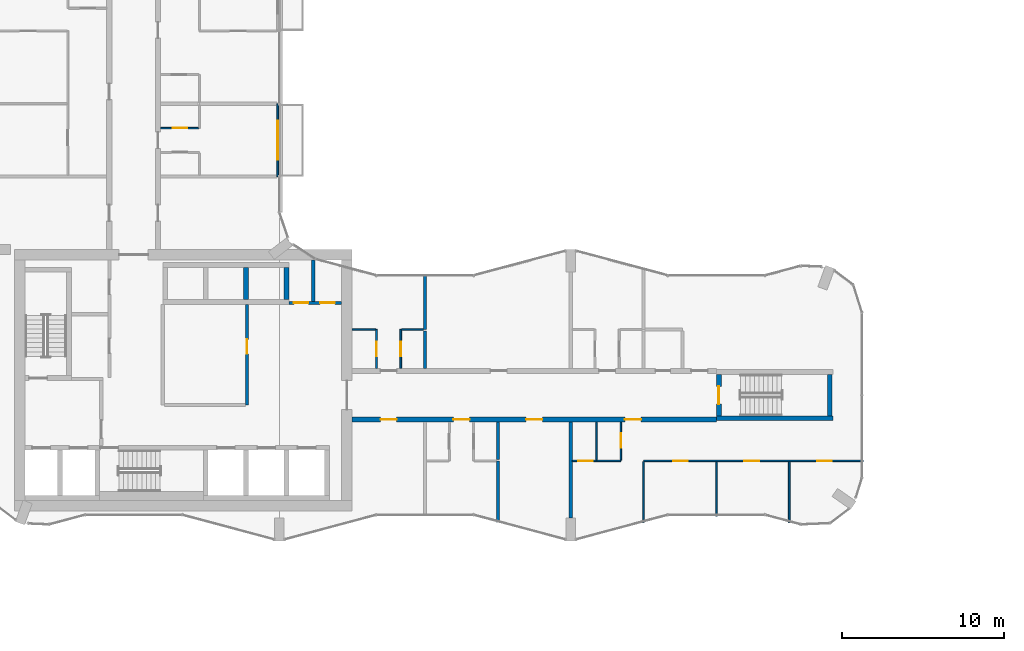
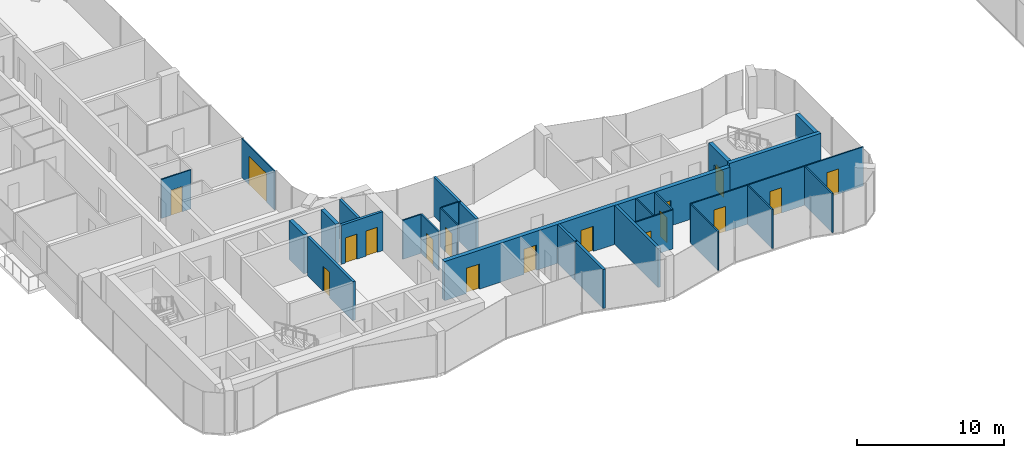
# One storey, part 14 of 22: 27 walls, 17 doors, 17 openings.
"""IFC4 building model written with IfcOpenShell, lengths in metres."""

from ifc_helpers import new_model, si_unit, direction, frame, frame_2d, origin, place, context, subcontext, project, spatial, rectangle, extrude, material, layer, layer_set, type_object, element, fill, save


model = new_model("IFC4")

# Units and contexts
model_context = context("Model", 3, precision=1e-05, world=origin(), true_north=direction((0.0, 1.0)))
body_context = subcontext(model_context, "Body", "Model", "MODEL_VIEW")
ifc_project = project(units=[si_unit("LENGTHUNIT", "METRE"), si_unit("AREAUNIT", "SQUARE_METRE"), si_unit("VOLUMEUNIT", "CUBIC_METRE"), si_unit("PLANEANGLEUNIT", "RADIAN"), si_unit("MASSUNIT", "GRAM", prefix="KILO")], contexts=[model_context])

# Site, building, storey
site_placement = place(None, origin())
site = spatial("IfcSite", under=ifc_project, at=site_placement, CompositionType="ELEMENT")
building_placement = place(site_placement, origin())
building = spatial("IfcBuilding", under=site, at=building_placement, Name="Plateau Cross Towers", CompositionType="ELEMENT")
storey_placement = place(building_placement, frame((0.0, 0.0, 116.800048828125)))
storey = spatial("IfcBuildingStorey", under=building, at=storey_placement, Name="L30", CompositionType="ELEMENT", Elevation=116.800048828125)

# Wall, opening, door
ifc_material_1 = material(Name="Aluminium framed glazing", Category="aluminium")
ifc_layer_1 = layer(ifc_material_1, 0.10009765625)
ifc_layer_set_1 = layer_set([ifc_layer_1], Name="Aluminium framed glazing")
wall_type_1 = type_object("IfcWallType", Name="Balcony screen wall 100", PredefinedType="STANDARD", material=ifc_layer_set_1)
wall_1_placement = place(storey_placement, frame((17.89990234375, 27.0, 0.0), z_axis=(0.0, 0.0, 1.0), x_axis=(0.0, -1.0, 0.0)))
wall_1 = element("IfcWall", 1, at=wall_1_placement, inside=storey, type_object=wall_type_1, Name="Balcony screen wall A-BAL-L30-04", PredefinedType="STANDARD", context=body_context, shape_type="SweptSolid", body=[
    extrude(rectangle(XDim=4.5, YDim=0.10009765625, at=frame_2d((2.25, 0.0))), origin(), (0.0, 0.0, 1.0), 3.25),
])
opening_1_placement = place(wall_1_placement, frame((1.050048828125, 0.0, 0.0)))
opening_1 = element("IfcOpeningElement", 2, at=opening_1_placement, cuts=wall_1, Name="Opening D-B24", PredefinedType="OPENING", context=body_context, shape_type="SweptSolid", body=[
    extrude(rectangle(XDim=2.39990234375, YDim=2.39990234375, at=frame_2d((1.199951171875, 1.199951171875))), frame((0.0, 0.06005859375, 0.0), z_axis=(0.0, -1.0, 0.0), x_axis=(1.0, 0.0, 0.0)), (0.0, 0.0, 1.0), 0.1201171875),
])
ifc_material_2 = material(Name="Aluminium frame, double glazing", Category="aluminium")
door_type_1 = type_object("IfcDoorType", Name="Balcony sliding door 2400", OperationType="NOTDEFINED", PredefinedType="DOOR", material=ifc_material_2)
door_1_placement = place(opening_1_placement, origin())
door_1 = element("IfcDoor", 3, at=door_1_placement, inside=storey, type_object=door_type_1, Name="Balcony door A-BAL-L30-04", OperationType="SINGLE_SWING_LEFT", OverallHeight=2.39990234375, OverallWidth=2.39990234375, PredefinedType="DOOR", context=body_context, shape_type="SweptSolid", body=[
    extrude(rectangle(XDim=2.39990234375, YDim=2.39990234375, at=frame_2d((1.199951171875, 1.199951171875))), frame((0.0, 0.02490234375, 0.0), z_axis=(0.0, -1.0, 0.0), x_axis=(1.0, 0.0, 0.0)), (0.0, 0.0, 1.0), 0.050048828125),
])
fill(opening_1, door_1)

ifc_material_3 = material(Name="Concrete block, plastered both sides", Category="concrete")
ifc_layer_2 = layer(ifc_material_3, 0.199951171875)
ifc_layer_set_2 = layer_set([ifc_layer_2], Name="Concrete block, plastered both sides")
wall_type_2 = type_object("IfcWallType", Name="Core partition 200", PredefinedType="PARTITIONING", material=ifc_layer_set_2)
wall_2_placement = place(storey_placement, frame((16.0, 8.39990234375, 0.0), z_axis=(0.0, 0.0, 1.0), x_axis=(0.0, 1.0, 0.0)))
wall_2 = element("IfcWall", 4, at=wall_2_placement, inside=storey, type_object=wall_type_2, Name="Core partition", PredefinedType="PARTITIONING", context=body_context, shape_type="SweptSolid", body=[
    extrude(rectangle(XDim=6.2001953125, YDim=0.199951171875, at=frame_2d((3.10009765625, 0.0))), origin(), (0.0, 0.0, 1.0), 3.25),
])
opening_2_placement = place(wall_2_placement, frame((3.14990234375, 0.0, 0.0)))
opening_2 = element("IfcOpeningElement", 5, at=opening_2_placement, cuts=wall_2, Name="Opening RD1", PredefinedType="OPENING", context=body_context, shape_type="SweptSolid", body=[
    extrude(rectangle(XDim=0.89990234375, YDim=2.10009765625, at=frame_2d((0.449951171875, 1.050048828125))), frame((0.0, 0.10986328125, 0.0), z_axis=(0.0, -1.0, 0.0), x_axis=(1.0, 0.0, 0.0)), (0.0, 0.0, 1.0), 0.219970703125),
])
ifc_material_4 = material(Name="Timber, fire-resisting leaf", Category="wood")
door_type_2 = type_object("IfcDoorType", Name="Core service door 900", OperationType="NOTDEFINED", PredefinedType="DOOR", material=ifc_material_4)
door_2_placement = place(opening_2_placement, origin())
door_2 = element("IfcDoor", 6, at=door_2_placement, inside=storey, type_object=door_type_2, Name="Core service door RD1", OperationType="SINGLE_SWING_LEFT", OverallHeight=2.10009765625, OverallWidth=0.89990234375, PredefinedType="DOOR", context=body_context, shape_type="SweptSolid", body=[
    extrude(rectangle(XDim=0.89990234375, YDim=2.10009765625, at=frame_2d((0.449951171875, 1.050048828125))), frame((0.0, 0.02490234375, 0.0), z_axis=(0.0, -1.0, 0.0), x_axis=(1.0, 0.0, 0.0)), (0.0, 0.0, 1.0), 0.050048828125),
])
fill(opening_2, door_2)

# Wall, openings, doors
wall_3_placement = place(storey_placement, frame((18.60009765625, 14.699951171875, 0.0), z_axis=(0.0, 0.0, 1.0), x_axis=(1.0, 0.0, 0.0)))
wall_3 = element("IfcWall", 7, at=wall_3_placement, inside=storey, type_object=wall_type_2, Name="Core partition", PredefinedType="PARTITIONING", context=body_context, shape_type="SweptSolid", body=[
    extrude(rectangle(XDim=3.25, YDim=0.199951171875, at=frame_2d((1.625, 0.0))), origin(), (0.0, 0.0, 1.0), 3.25),
])
opening_3_placement = place(wall_3_placement, frame((0.300048828125, 0.0, 0.0)))
opening_3 = element("IfcOpeningElement", 8, at=opening_3_placement, cuts=wall_3, Name="Opening RD2", PredefinedType="OPENING", context=body_context, shape_type="SweptSolid", body=[
    extrude(rectangle(XDim=0.89990234375, YDim=2.10009765625, at=frame_2d((0.449951171875, 1.050048828125))), frame((0.0, 0.10986328125, 0.0), z_axis=(0.0, -1.0, 0.0), x_axis=(1.0, 0.0, 0.0)), (0.0, 0.0, 1.0), 0.219970703125),
])
opening_4_placement = place(wall_3_placement, frame((1.925048828125, 0.0, 0.0)))
opening_4 = element("IfcOpeningElement", 9, at=opening_4_placement, cuts=wall_3, Name="Opening RD2", PredefinedType="OPENING", context=body_context, shape_type="SweptSolid", body=[
    extrude(rectangle(XDim=0.89990234375, YDim=2.10009765625, at=frame_2d((0.449951171875, 1.050048828125))), frame((0.0, 0.10986328125, 0.0), z_axis=(0.0, -1.0, 0.0), x_axis=(1.0, 0.0, 0.0)), (0.0, 0.0, 1.0), 0.219970703125),
])
ifc_material_5 = material(Name="Steel, fire-resisting leaf", Category="steel")
door_type_3 = type_object("IfcDoorType", Name="Core riser door 900", OperationType="NOTDEFINED", PredefinedType="DOOR", material=ifc_material_5)
door_3_placement = place(opening_3_placement, origin())
door_3 = element("IfcDoor", 10, at=door_3_placement, inside=storey, type_object=door_type_3, Name="Core riser door RD2", OperationType="SINGLE_SWING_LEFT", OverallHeight=2.10009765625, OverallWidth=0.89990234375, PredefinedType="DOOR", context=body_context, shape_type="SweptSolid", body=[
    extrude(rectangle(XDim=0.89990234375, YDim=2.10009765625, at=frame_2d((0.449951171875, 1.050048828125))), frame((0.0, 0.02490234375, 0.0), z_axis=(0.0, -1.0, 0.0), x_axis=(1.0, 0.0, 0.0)), (0.0, 0.0, 1.0), 0.050048828125),
])
fill(opening_3, door_3)
door_4_placement = place(opening_4_placement, origin())
door_4 = element("IfcDoor", 11, at=door_4_placement, inside=storey, type_object=door_type_3, Name="Core riser door RD2", OperationType="SINGLE_SWING_LEFT", OverallHeight=2.10009765625, OverallWidth=0.89990234375, PredefinedType="DOOR", context=body_context, shape_type="SweptSolid", body=[
    extrude(rectangle(XDim=0.89990234375, YDim=2.10009765625, at=frame_2d((0.449951171875, 1.050048828125))), frame((0.0, 0.02490234375, 0.0), z_axis=(0.0, -1.0, 0.0), x_axis=(1.0, 0.0, 0.0)), (0.0, 0.0, 1.0), 0.050048828125),
])
fill(opening_4, door_4)

# Walls
wall_4_placement = place(storey_placement, frame((20.10009765625, 14.800048828125, 0.0), z_axis=(0.0, 0.0, 1.0), x_axis=(0.0, 1.0, 0.0)))
element("IfcWall", 12, at=wall_4_placement, inside=storey, type_object=wall_type_2, Name="Core partition", PredefinedType="PARTITIONING", context=body_context, shape_type="SweptSolid", body=[
    extrude(rectangle(XDim=2.550048828125, YDim=0.199951171875, at=frame_2d((1.27490234375, 0.0))), origin(), (0.0, 0.0, 1.0), 3.25),
])
ifc_material_6 = material(Name="Concrete C60/75", Category="concrete")
ifc_layer_3 = layer(ifc_material_6, 0.300048828125)
ifc_layer_set_3 = layer_set([ifc_layer_3], Name="Concrete C60/75")
wall_type_3 = type_object("IfcWallType", Name="Core shaft wall 300", PredefinedType="SHEAR", material=ifc_layer_set_3)
for number, where, z_axis, x_axis, name in (
    (13, (15.949951171875, 14.89990234375, 0.0), (0.0, 0.0, 1.0), (0.0, 1.0, 0.0), "A-nb-v3@L30"),
    (14, (18.449951171875, 14.89990234375, 0.0), (0.0, 0.0, 1.0), (0.0, 1.0, 0.0), "A-nb-v4@L30"),
):
    element("IfcWall", number, at=place(storey_placement, frame(where, z_axis=z_axis, x_axis=x_axis)), inside=storey, type_object=wall_type_3, Name=name, PredefinedType="SHEAR", context=body_context, shape_type="SweptSolid", body=[
        extrude(rectangle(XDim=2.0, YDim=0.300048828125, at=frame_2d((1.0, 0.0))), origin(), (0.0, 0.0, 1.0), 3.25),
    ])

# Wall, openings, doors
ifc_layer_4 = layer(ifc_material_6, 0.324951171875)
ifc_layer_set_4 = layer_set([ifc_layer_4], Name="Concrete C60/75")
wall_type_4 = type_object("IfcWallType", Name="Corridor wall 325", PredefinedType="SHEAR", material=ifc_layer_set_4)
wall_5_placement = place(storey_placement, frame((22.5, 7.5, 0.0), z_axis=(0.0, 0.0, 1.0), x_axis=(1.0, 0.0, 0.0)))
wall_5 = element("IfcWall", 15, at=wall_5_placement, inside=storey, type_object=wall_type_4, Name="A-cw-S1@L30", PredefinedType="SHEAR", context=body_context, shape_type="SweptSolid", body=[
    extrude(rectangle(XDim=22.5, YDim=0.324951171875, at=frame_2d((11.25, 0.0))), origin(), (0.0, 0.0, 1.0), 3.25),
])
opening_5_placement = place(wall_5_placement, frame((1.75, 0.0, 0.0)))
opening_5 = element("IfcOpeningElement", 16, at=opening_5_placement, cuts=wall_5, Name="Opening 30-01", PredefinedType="OPENING", context=body_context, shape_type="SweptSolid", body=[
    extrude(rectangle(XDim=1.0, YDim=2.10009765625, at=frame_2d((0.5, 1.050048828125))), frame((0.0, 0.17236328125, 0.0), z_axis=(0.0, -1.0, 0.0), x_axis=(1.0, 0.0, 0.0)), (0.0, 0.0, 1.0), 0.344970703125),
])
opening_6_placement = place(wall_5_placement, frame((6.25, 0.0, 0.0)))
opening_6 = element("IfcOpeningElement", 17, at=opening_6_placement, cuts=wall_5, Name="Opening 30-02", PredefinedType="OPENING", context=body_context, shape_type="SweptSolid", body=[
    extrude(rectangle(XDim=1.0, YDim=2.10009765625, at=frame_2d((0.5, 1.050048828125))), frame((0.0, 0.17236328125, 0.0), z_axis=(0.0, -1.0, 0.0), x_axis=(1.0, 0.0, 0.0)), (0.0, 0.0, 1.0), 0.344970703125),
])
opening_7_placement = place(wall_5_placement, frame((10.75, 0.0, 0.0)))
opening_7 = element("IfcOpeningElement", 18, at=opening_7_placement, cuts=wall_5, Name="Opening 30-03", PredefinedType="OPENING", context=body_context, shape_type="SweptSolid", body=[
    extrude(rectangle(XDim=1.0, YDim=2.10009765625, at=frame_2d((0.5, 1.050048828125))), frame((0.0, 0.17236328125, 0.0), z_axis=(0.0, -1.0, 0.0), x_axis=(1.0, 0.0, 0.0)), (0.0, 0.0, 1.0), 0.344970703125),
])
opening_8_placement = place(wall_5_placement, frame((16.85009765625, 0.0, 0.0)))
opening_8 = element("IfcOpeningElement", 19, at=opening_8_placement, cuts=wall_5, Name="Opening 30-04", PredefinedType="OPENING", context=body_context, shape_type="SweptSolid", body=[
    extrude(rectangle(XDim=1.0, YDim=2.10009765625, at=frame_2d((0.5, 1.050048828125))), frame((0.0, 0.17236328125, 0.0), z_axis=(0.0, -1.0, 0.0), x_axis=(1.0, 0.0, 0.0)), (0.0, 0.0, 1.0), 0.344970703125),
])
door_type_4 = type_object("IfcDoorType", Name="Flat entrance door 1000", OperationType="NOTDEFINED", PredefinedType="DOOR", material=ifc_material_4)
door_5_placement = place(opening_5_placement, origin())
door_5 = element("IfcDoor", 20, at=door_5_placement, inside=storey, type_object=door_type_4, Name="Door 30-01", OperationType="SINGLE_SWING_LEFT", OverallHeight=2.10009765625, OverallWidth=1.0, PredefinedType="DOOR", context=body_context, shape_type="SweptSolid", body=[
    extrude(rectangle(XDim=1.0, YDim=2.10009765625, at=frame_2d((0.5, 1.050048828125))), frame((0.0, 0.02490234375, 0.0), z_axis=(0.0, -1.0, 0.0), x_axis=(1.0, 0.0, 0.0)), (0.0, 0.0, 1.0), 0.050048828125),
])
fill(opening_5, door_5)
door_6_placement = place(opening_6_placement, origin())
door_6 = element("IfcDoor", 21, at=door_6_placement, inside=storey, type_object=door_type_4, Name="Door 30-02", OperationType="SINGLE_SWING_LEFT", OverallHeight=2.10009765625, OverallWidth=1.0, PredefinedType="DOOR", context=body_context, shape_type="SweptSolid", body=[
    extrude(rectangle(XDim=1.0, YDim=2.10009765625, at=frame_2d((0.5, 1.050048828125))), frame((0.0, 0.02490234375, 0.0), z_axis=(0.0, -1.0, 0.0), x_axis=(1.0, 0.0, 0.0)), (0.0, 0.0, 1.0), 0.050048828125),
])
fill(opening_6, door_6)
door_7_placement = place(opening_7_placement, origin())
door_7 = element("IfcDoor", 22, at=door_7_placement, inside=storey, type_object=door_type_4, Name="Door 30-03", OperationType="SINGLE_SWING_LEFT", OverallHeight=2.10009765625, OverallWidth=1.0, PredefinedType="DOOR", context=body_context, shape_type="SweptSolid", body=[
    extrude(rectangle(XDim=1.0, YDim=2.10009765625, at=frame_2d((0.5, 1.050048828125))), frame((0.0, 0.02490234375, 0.0), z_axis=(0.0, -1.0, 0.0), x_axis=(1.0, 0.0, 0.0)), (0.0, 0.0, 1.0), 0.050048828125),
])
fill(opening_7, door_7)
door_8_placement = place(opening_8_placement, origin())
door_8 = element("IfcDoor", 23, at=door_8_placement, inside=storey, type_object=door_type_4, Name="Door 30-04", OperationType="SINGLE_SWING_RIGHT", OverallHeight=2.10009765625, OverallWidth=1.0, PredefinedType="DOOR", context=body_context, shape_type="SweptSolid", body=[
    extrude(rectangle(XDim=1.0, YDim=2.10009765625, at=frame_2d((0.5, 1.050048828125))), frame((0.0, 0.02490234375, 0.0), z_axis=(0.0, -1.0, 0.0), x_axis=(1.0, 0.0, 0.0)), (0.0, 0.0, 1.0), 0.050048828125),
])
fill(opening_8, door_8)

ifc_material_7 = material(Name="Gypsum board on steel studs", Category="steel")
ifc_layer_5 = layer(ifc_material_7, 0.10009765625)
ifc_layer_set_5 = layer_set([ifc_layer_5], Name="Gypsum board on steel studs")
wall_type_5 = type_object("IfcWallType", Name="Flat partition 100", PredefinedType="PARTITIONING", material=ifc_layer_set_5)
wall_6_placement = place(storey_placement, frame((54.080078125, 4.9375, 0.0), z_axis=(0.0, 0.0, 1.0), x_axis=(-1.0, 0.0, 0.0)))
wall_6 = element("IfcWall", 24, at=wall_6_placement, inside=storey, type_object=wall_type_5, Name="Partition wall", PredefinedType="PARTITIONING", context=body_context, shape_type="SweptSolid", body=[
    extrude(rectangle(XDim=13.580078125, YDim=0.10009765625, at=frame_2d((6.7900390625, 0.0))), origin(), (0.0, 0.0, 1.0), 3.25),
])
opening_9_placement = place(wall_6_placement, frame((10.85009765625, 0.0, 0.0)))
opening_9 = element("IfcOpeningElement", 25, at=opening_9_placement, cuts=wall_6, Name="Opening 30-23", PredefinedType="OPENING", context=body_context, shape_type="SweptSolid", body=[
    extrude(rectangle(XDim=0.89990234375, YDim=2.10009765625, at=frame_2d((0.449951171875, 1.050048828125))), frame((0.0, 0.06005859375, 0.0), z_axis=(0.0, -1.0, 0.0), x_axis=(1.0, 0.0, 0.0)), (0.0, 0.0, 1.0), 0.1201171875),
])
opening_10_placement = place(wall_6_placement, frame((6.449951171875, 0.0, 0.0)))
opening_10 = element("IfcOpeningElement", 26, at=opening_10_placement, cuts=wall_6, Name="Opening 30-24", PredefinedType="OPENING", context=body_context, shape_type="SweptSolid", body=[
    extrude(rectangle(XDim=0.89990234375, YDim=2.10009765625, at=frame_2d((0.449951171875, 1.050048828125))), frame((0.0, 0.06005859375, 0.0), z_axis=(0.0, -1.0, 0.0), x_axis=(1.0, 0.0, 0.0)), (0.0, 0.0, 1.0), 0.1201171875),
])
opening_11_placement = place(wall_6_placement, frame((1.949951171875, 0.0, 0.0)))
opening_11 = element("IfcOpeningElement", 27, at=opening_11_placement, cuts=wall_6, Name="Opening 30-25", PredefinedType="OPENING", context=body_context, shape_type="SweptSolid", body=[
    extrude(rectangle(XDim=0.89990234375, YDim=2.10009765625, at=frame_2d((0.449951171875, 1.050048828125))), frame((0.0, 0.06005859375, 0.0), z_axis=(0.0, -1.0, 0.0), x_axis=(1.0, 0.0, 0.0)), (0.0, 0.0, 1.0), 0.1201171875),
])
ifc_material_8 = material(Name="Timber leaf", Category="wood")
door_type_5 = type_object("IfcDoorType", Name="Flat room door 900", OperationType="NOTDEFINED", PredefinedType="DOOR", material=ifc_material_8)
door_9_placement = place(opening_9_placement, origin())
door_9 = element("IfcDoor", 28, at=door_9_placement, inside=storey, type_object=door_type_5, Name="Door 30-23", OperationType="SINGLE_SWING_RIGHT", OverallHeight=2.10009765625, OverallWidth=0.89990234375, PredefinedType="DOOR", context=body_context, shape_type="SweptSolid", body=[
    extrude(rectangle(XDim=0.89990234375, YDim=2.10009765625, at=frame_2d((0.449951171875, 1.050048828125))), frame((0.0, 0.02490234375, 0.0), z_axis=(0.0, -1.0, 0.0), x_axis=(1.0, 0.0, 0.0)), (0.0, 0.0, 1.0), 0.050048828125),
])
fill(opening_9, door_9)
door_10_placement = place(opening_10_placement, origin())
door_10 = element("IfcDoor", 29, at=door_10_placement, inside=storey, type_object=door_type_5, Name="Door 30-24", OperationType="SINGLE_SWING_RIGHT", OverallHeight=2.10009765625, OverallWidth=0.89990234375, PredefinedType="DOOR", context=body_context, shape_type="SweptSolid", body=[
    extrude(rectangle(XDim=0.89990234375, YDim=2.10009765625, at=frame_2d((0.449951171875, 1.050048828125))), frame((0.0, 0.02490234375, 0.0), z_axis=(0.0, -1.0, 0.0), x_axis=(1.0, 0.0, 0.0)), (0.0, 0.0, 1.0), 0.050048828125),
])
fill(opening_10, door_10)
door_11_placement = place(opening_11_placement, origin())
door_11 = element("IfcDoor", 30, at=door_11_placement, inside=storey, type_object=door_type_5, Name="Door 30-25", OperationType="SINGLE_SWING_LEFT", OverallHeight=2.10009765625, OverallWidth=0.89990234375, PredefinedType="DOOR", context=body_context, shape_type="SweptSolid", body=[
    extrude(rectangle(XDim=0.89990234375, YDim=2.10009765625, at=frame_2d((0.449951171875, 1.050048828125))), frame((0.0, 0.02490234375, 0.0), z_axis=(0.0, -1.0, 0.0), x_axis=(1.0, 0.0, 0.0)), (0.0, 0.0, 1.0), 0.050048828125),
])
fill(opening_11, door_11)

# Wall, opening, door
wall_7_placement = place(storey_placement, frame((36.10009765625, 4.9375, 0.0), z_axis=(0.0, 0.0, 1.0), x_axis=(1.0, 0.0, 0.0)))
wall_7 = element("IfcWall", 31, at=wall_7_placement, inside=storey, type_object=wall_type_5, Name="Partition wall", PredefinedType="PARTITIONING", context=body_context, shape_type="SweptSolid", body=[
    extrude(rectangle(XDim=3.0, YDim=0.10009765625, at=frame_2d((1.5, 0.0))), origin(), (0.0, 0.0, 1.0), 3.25),
])
opening_12_placement = place(wall_7_placement, frame((0.35009765625, 0.0, 0.0)))
opening_12 = element("IfcOpeningElement", 32, at=opening_12_placement, cuts=wall_7, Name="Opening 30-21", PredefinedType="OPENING", context=body_context, shape_type="SweptSolid", body=[
    extrude(rectangle(XDim=0.89990234375, YDim=2.10009765625, at=frame_2d((0.449951171875, 1.050048828125))), frame((0.0, 0.06005859375, 0.0), z_axis=(0.0, -1.0, 0.0), x_axis=(1.0, 0.0, 0.0)), (0.0, 0.0, 1.0), 0.1201171875),
])
door_12_placement = place(opening_12_placement, origin())
door_12 = element("IfcDoor", 33, at=door_12_placement, inside=storey, type_object=door_type_5, Name="Door 30-21", OperationType="SINGLE_SWING_LEFT", OverallHeight=2.10009765625, OverallWidth=0.89990234375, PredefinedType="DOOR", context=body_context, shape_type="SweptSolid", body=[
    extrude(rectangle(XDim=0.89990234375, YDim=2.10009765625, at=frame_2d((0.449951171875, 1.050048828125))), frame((0.0, 0.02490234375, 0.0), z_axis=(0.0, -1.0, 0.0), x_axis=(1.0, 0.0, 0.0)), (0.0, 0.0, 1.0), 0.050048828125),
])
fill(opening_12, door_12)

# Walls
wall_8_placement = place(storey_placement, frame((23.949951171875, 13.0625, 0.0), z_axis=(0.0, 0.0, 1.0), x_axis=(-1.0, 0.0, 0.0)))
element("IfcWall", 34, at=wall_8_placement, inside=storey, type_object=wall_type_5, Name="Partition wall", PredefinedType="PARTITIONING", context=body_context, shape_type="SweptSolid", body=[
    extrude(rectangle(XDim=1.449951171875, YDim=0.10009765625, at=frame_2d((0.72509765625, 0.0))), origin(), (0.0, 0.0, 1.0), 3.25),
])
wall_9_placement = place(storey_placement, frame((26.89990234375, 13.0625, 0.0), z_axis=(0.0, 0.0, 1.0), x_axis=(-1.0, 0.0, 0.0)))
element("IfcWall", 35, at=wall_9_placement, inside=storey, type_object=wall_type_5, Name="Partition wall", PredefinedType="PARTITIONING", context=body_context, shape_type="SweptSolid", body=[
    extrude(rectangle(XDim=1.349853515625, YDim=0.10009765625, at=frame_2d((0.6748046875, 0.0))), origin(), (0.0, 0.0, 1.0), 3.25),
])

# Wall, opening, door
wall_10_placement = place(storey_placement, frame((10.66259765625, 25.5, 0.0), z_axis=(0.0, 0.0, 1.0), x_axis=(1.0, 0.0, 0.0)))
wall_10 = element("IfcWall", 36, at=wall_10_placement, inside=storey, type_object=wall_type_5, Name="Partition wall", PredefinedType="PARTITIONING", context=body_context, shape_type="SweptSolid", body=[
    extrude(rectangle(XDim=2.349853515625, YDim=0.10009765625, at=frame_2d((1.1748046875, 0.0))), origin(), (0.0, 0.0, 1.0), 3.25),
])
opening_13_placement = place(wall_10_placement, frame((0.75, 0.0, 0.0)))
opening_13 = element("IfcOpeningElement", 37, at=opening_13_placement, cuts=wall_10, Name="Opening 30-40", PredefinedType="OPENING", context=body_context, shape_type="SweptSolid", body=[
    extrude(rectangle(XDim=0.89990234375, YDim=2.10009765625, at=frame_2d((0.449951171875, 1.050048828125))), frame((0.0, 0.06005859375, 0.0), z_axis=(0.0, -1.0, 0.0), x_axis=(1.0, 0.0, 0.0)), (0.0, 0.0, 1.0), 0.1201171875),
])
door_13_placement = place(opening_13_placement, origin())
door_13 = element("IfcDoor", 38, at=door_13_placement, inside=storey, type_object=door_type_5, Name="Door 30-40", OperationType="SINGLE_SWING_RIGHT", OverallHeight=2.10009765625, OverallWidth=0.89990234375, PredefinedType="DOOR", context=body_context, shape_type="SweptSolid", body=[
    extrude(rectangle(XDim=0.89990234375, YDim=2.10009765625, at=frame_2d((0.449951171875, 1.050048828125))), frame((0.0, 0.02490234375, 0.0), z_axis=(0.0, -1.0, 0.0), x_axis=(1.0, 0.0, 0.0)), (0.0, 0.0, 1.0), 0.050048828125),
])
fill(opening_13, door_13)

wall_11_placement = place(storey_placement, frame((24.0, 10.66259765625, 0.0), z_axis=(0.0, 0.0, 1.0), x_axis=(0.0, 1.0, 0.0)))
wall_11 = element("IfcWall", 39, at=wall_11_placement, inside=storey, type_object=wall_type_5, Name="Partition wall", PredefinedType="PARTITIONING", context=body_context, shape_type="SweptSolid", body=[
    extrude(rectangle(XDim=2.39990234375, YDim=0.10009765625, at=frame_2d((1.199951171875, 0.0))), origin(), (0.0, 0.0, 1.0), 3.25),
])
opening_14_placement = place(wall_11_placement, frame((0.75, 0.0, 0.0)))
opening_14 = element("IfcOpeningElement", 40, at=opening_14_placement, cuts=wall_11, Name="Opening 30-26", PredefinedType="OPENING", context=body_context, shape_type="SweptSolid", body=[
    extrude(rectangle(XDim=0.89990234375, YDim=2.10009765625, at=frame_2d((0.449951171875, 1.050048828125))), frame((0.0, 0.06005859375, 0.0), z_axis=(0.0, -1.0, 0.0), x_axis=(1.0, 0.0, 0.0)), (0.0, 0.0, 1.0), 0.1201171875),
])
door_14_placement = place(opening_14_placement, origin())
door_14 = element("IfcDoor", 41, at=door_14_placement, inside=storey, type_object=door_type_5, Name="Door 30-26", OperationType="SINGLE_SWING_LEFT", OverallHeight=2.10009765625, OverallWidth=0.89990234375, PredefinedType="DOOR", context=body_context, shape_type="SweptSolid", body=[
    extrude(rectangle(XDim=0.89990234375, YDim=2.10009765625, at=frame_2d((0.449951171875, 1.050048828125))), frame((0.0, 0.02490234375, 0.0), z_axis=(0.0, -1.0, 0.0), x_axis=(1.0, 0.0, 0.0)), (0.0, 0.0, 1.0), 0.050048828125),
])
fill(opening_14, door_14)

wall_12_placement = place(storey_placement, frame((25.5, 13.0625, 0.0), z_axis=(0.0, 0.0, 1.0), x_axis=(0.0, -1.0, 0.0)))
wall_12 = element("IfcWall", 42, at=wall_12_placement, inside=storey, type_object=wall_type_5, Name="Partition wall", PredefinedType="PARTITIONING", context=body_context, shape_type="SweptSolid", body=[
    extrude(rectangle(XDim=2.39990234375, YDim=0.10009765625, at=frame_2d((1.199951171875, 0.0))), origin(), (0.0, 0.0, 1.0), 3.25),
])
opening_15_placement = place(wall_12_placement, frame((0.75, 0.0, 0.0)))
opening_15 = element("IfcOpeningElement", 43, at=opening_15_placement, cuts=wall_12, Name="Opening 30-27", PredefinedType="OPENING", context=body_context, shape_type="SweptSolid", body=[
    extrude(rectangle(XDim=0.89990234375, YDim=2.10009765625, at=frame_2d((0.449951171875, 1.050048828125))), frame((0.0, 0.06005859375, 0.0), z_axis=(0.0, -1.0, 0.0), x_axis=(1.0, 0.0, 0.0)), (0.0, 0.0, 1.0), 0.1201171875),
])
door_15_placement = place(opening_15_placement, origin())
door_15 = element("IfcDoor", 44, at=door_15_placement, inside=storey, type_object=door_type_5, Name="Door 30-27", OperationType="SINGLE_SWING_LEFT", OverallHeight=2.10009765625, OverallWidth=0.89990234375, PredefinedType="DOOR", context=body_context, shape_type="SweptSolid", body=[
    extrude(rectangle(XDim=0.89990234375, YDim=2.10009765625, at=frame_2d((0.449951171875, 1.050048828125))), frame((0.0, 0.02490234375, 0.0), z_axis=(0.0, -1.0, 0.0), x_axis=(1.0, 0.0, 0.0)), (0.0, 0.0, 1.0), 0.050048828125),
])
fill(opening_15, door_15)

# Wall
wall_13_placement = place(storey_placement, frame((37.60009765625, 4.987548828125, 0.0), z_axis=(0.0, 0.0, 1.0), x_axis=(0.0, 1.0, 0.0)))
element("IfcWall", 45, at=wall_13_placement, inside=storey, type_object=wall_type_5, Name="Partition wall", PredefinedType="PARTITIONING", context=body_context, shape_type="SweptSolid", body=[
    extrude(rectangle(XDim=2.349853515625, YDim=0.10009765625, at=frame_2d((1.1748046875, 0.0))), origin(), (0.0, 0.0, 1.0), 3.25),
])

# Wall, opening, door
wall_14_placement = place(storey_placement, frame((39.10009765625, 4.987548828125, 0.0), z_axis=(0.0, 0.0, 1.0), x_axis=(0.0, 1.0, 0.0)))
wall_14 = element("IfcWall", 46, at=wall_14_placement, inside=storey, type_object=wall_type_5, Name="Partition wall", PredefinedType="PARTITIONING", context=body_context, shape_type="SweptSolid", body=[
    extrude(rectangle(XDim=2.349853515625, YDim=0.10009765625, at=frame_2d((1.1748046875, 0.0))), origin(), (0.0, 0.0, 1.0), 3.25),
])
opening_16_placement = place(wall_14_placement, frame((0.75, 0.0, 0.0)))
opening_16 = element("IfcOpeningElement", 47, at=opening_16_placement, cuts=wall_14, Name="Opening 30-22", PredefinedType="OPENING", context=body_context, shape_type="SweptSolid", body=[
    extrude(rectangle(XDim=0.89990234375, YDim=2.10009765625, at=frame_2d((0.449951171875, 1.050048828125))), frame((0.0, 0.06005859375, 0.0), z_axis=(0.0, -1.0, 0.0), x_axis=(1.0, 0.0, 0.0)), (0.0, 0.0, 1.0), 0.1201171875),
])
door_16_placement = place(opening_16_placement, origin())
door_16 = element("IfcDoor", 48, at=door_16_placement, inside=storey, type_object=door_type_5, Name="Door 30-22", OperationType="SINGLE_SWING_RIGHT", OverallHeight=2.10009765625, OverallWidth=0.89990234375, PredefinedType="DOOR", context=body_context, shape_type="SweptSolid", body=[
    extrude(rectangle(XDim=0.89990234375, YDim=2.10009765625, at=frame_2d((0.449951171875, 1.050048828125))), frame((0.0, 0.02490234375, 0.0), z_axis=(0.0, -1.0, 0.0), x_axis=(1.0, 0.0, 0.0)), (0.0, 0.0, 1.0), 0.050048828125),
])
fill(opening_16, door_16)

# Walls
wall_15_placement = place(storey_placement, frame((40.5, 4.887451171875, 0.0), z_axis=(0.0, 0.0, 1.0), x_axis=(0.0, -1.0, 0.0)))
element("IfcWall", 49, at=wall_15_placement, inside=storey, type_object=wall_type_5, Name="Partition wall", PredefinedType="PARTITIONING", context=body_context, shape_type="SweptSolid", body=[
    extrude(rectangle(XDim=3.76513671875, YDim=0.10009765625, at=frame_2d((1.882568359375, 0.0))), origin(), (0.0, 0.0, 1.0), 3.25),
])
wall_16_placement = place(storey_placement, frame((45.0, 1.52685546875, 0.0), z_axis=(0.0, 0.0, 1.0), x_axis=(0.0, 1.0, 0.0)))
element("IfcWall", 50, at=wall_16_placement, inside=storey, type_object=wall_type_5, Name="Partition wall", PredefinedType="PARTITIONING", context=body_context, shape_type="SweptSolid", body=[
    extrude(rectangle(XDim=3.360595703125, YDim=0.10009765625, at=frame_2d((1.68017578125, 0.0))), origin(), (0.0, 0.0, 1.0), 3.25),
])
wall_17_placement = place(storey_placement, frame((49.5, 1.122314453125, 0.0), z_axis=(0.0, 0.0, 1.0), x_axis=(0.0, 1.0, 0.0)))
element("IfcWall", 51, at=wall_17_placement, inside=storey, type_object=wall_type_5, Name="Partition wall", PredefinedType="PARTITIONING", context=body_context, shape_type="SweptSolid", body=[
    extrude(rectangle(XDim=3.76513671875, YDim=0.10009765625, at=frame_2d((1.882568359375, 0.0))), origin(), (0.0, 0.0, 1.0), 3.25),
])
ifc_material_9 = material(Name="Gypsum board on steel studs, two layers each side", Category="steel")
ifc_layer_6 = layer(ifc_material_9, 0.199951171875)
ifc_layer_set_6 = layer_set([ifc_layer_6], Name="Gypsum board on steel studs, two layers each side")
wall_type_6 = type_object("IfcWallType", Name="Flat party wall 200", PredefinedType="PARTITIONING", material=ifc_layer_set_6)
wall_18_placement = place(storey_placement, frame((27.0, 16.47314453125, 0.0), z_axis=(0.0, 0.0, 1.0), x_axis=(0.0, -1.0, 0.0)))
element("IfcWall", 52, at=wall_18_placement, inside=storey, type_object=wall_type_6, Name="Party wall", PredefinedType="PARTITIONING", context=body_context, shape_type="SweptSolid", body=[
    extrude(rectangle(XDim=3.41064453125, YDim=0.199951171875, at=frame_2d((1.705322265625, 0.0))), origin(), (0.0, 0.0, 1.0), 3.25),
])
wall_19_placement = place(storey_placement, frame((27.0, 10.66259765625, 0.0), z_axis=(0.0, 0.0, 1.0), x_axis=(0.0, 1.0, 0.0)))
element("IfcWall", 53, at=wall_19_placement, inside=storey, type_object=wall_type_6, Name="Party wall", PredefinedType="PARTITIONING", context=body_context, shape_type="SweptSolid", body=[
    extrude(rectangle(XDim=2.2998046875, YDim=0.199951171875, at=frame_2d((1.14990234375, 0.0))), origin(), (0.0, 0.0, 1.0), 3.25),
])
wall_20_placement = place(storey_placement, frame((31.5, 4.9375, 0.0), z_axis=(0.0, 0.0, 1.0), x_axis=(0.0, -1.0, 0.0)))
element("IfcWall", 54, at=wall_20_placement, inside=storey, type_object=wall_type_6, Name="Party wall", PredefinedType="PARTITIONING", context=body_context, shape_type="SweptSolid", body=[
    extrude(rectangle(XDim=3.815185546875, YDim=0.199951171875, at=frame_2d((1.90771484375, 0.0))), origin(), (0.0, 0.0, 1.0), 3.25),
])
wall_21_placement = place(storey_placement, frame((31.5, 5.03759765625, 0.0), z_axis=(0.0, 0.0, 1.0), x_axis=(0.0, 1.0, 0.0)))
element("IfcWall", 55, at=wall_21_placement, inside=storey, type_object=wall_type_6, Name="Party wall", PredefinedType="PARTITIONING", context=body_context, shape_type="SweptSolid", body=[
    extrude(rectangle(XDim=2.2998046875, YDim=0.199951171875, at=frame_2d((1.14990234375, 0.0))), origin(), (0.0, 0.0, 1.0), 3.25),
])
wall_22_placement = place(storey_placement, frame((36.0, 1.39990234375, 0.0), z_axis=(0.0, 0.0, 1.0), x_axis=(0.0, 1.0, 0.0)))
element("IfcWall", 56, at=wall_22_placement, inside=storey, type_object=wall_type_6, Name="Party wall", PredefinedType="PARTITIONING", context=body_context, shape_type="SweptSolid", body=[
    extrude(rectangle(XDim=5.9375, YDim=0.199951171875, at=frame_2d((2.96875, 0.0))), origin(), (0.0, 0.0, 1.0), 3.25),
])

# Wall, opening, door
ifc_layer_7 = layer(ifc_material_6, 0.300048828125)
ifc_layer_set_7 = layer_set([ifc_layer_7], Name="Concrete C60/75")
wall_type_7 = type_object("IfcWallType", Name="Stair tower wall 300", PredefinedType="SHEAR", material=ifc_layer_set_7)
wall_23_placement = place(storey_placement, frame((45.14990234375, 7.72509765625, 0.0), z_axis=(0.0, 0.0, 1.0), x_axis=(0.0, 1.0, 0.0)))
wall_23 = element("IfcWall", 57, at=wall_23_placement, inside=storey, type_object=wall_type_7, Name="A-end-E-W@L30", PredefinedType="SHEAR", context=body_context, shape_type="SweptSolid", body=[
    extrude(rectangle(XDim=2.5498046875, YDim=0.300048828125, at=frame_2d((1.27490234375, 0.0))), origin(), (0.0, 0.0, 1.0), 3.5),
])
opening_17_placement = place(wall_23_placement, frame((0.72509765625, 0.0, 0.0)))
opening_17 = element("IfcOpeningElement", 58, at=opening_17_placement, cuts=wall_23, Name="Opening SD", PredefinedType="OPENING", context=body_context, shape_type="SweptSolid", body=[
    extrude(rectangle(XDim=1.10009765625, YDim=2.10009765625, at=frame_2d((0.550048828125, 1.050048828125))), frame((0.0, 0.159912109375, 0.0), z_axis=(0.0, -1.0, 0.0), x_axis=(1.0, 0.0, 0.0)), (0.0, 0.0, 1.0), 0.320068359375),
])
door_type_6 = type_object("IfcDoorType", Name="Stair door 1100", OperationType="NOTDEFINED", PredefinedType="DOOR", material=ifc_material_5)
door_17_placement = place(opening_17_placement, origin())
door_17 = element("IfcDoor", 59, at=door_17_placement, inside=storey, type_object=door_type_6, Name="Stair door SD", OperationType="SINGLE_SWING_LEFT", OverallHeight=2.10009765625, OverallWidth=1.10009765625, PredefinedType="DOOR", context=body_context, shape_type="SweptSolid", body=[
    extrude(rectangle(XDim=1.10009765625, YDim=2.10009765625, at=frame_2d((0.550048828125, 1.050048828125))), frame((0.0, 0.02490234375, 0.0), z_axis=(0.0, -1.0, 0.0), x_axis=(1.0, 0.0, 0.0)), (0.0, 0.0, 1.0), 0.050048828125),
])
fill(opening_17, door_17)

# Walls
wall_24_placement = place(storey_placement, frame((52.0, 7.72509765625, 0.0), z_axis=(0.0, 0.0, 1.0), x_axis=(0.0, 1.0, 0.0)))
element("IfcWall", 60, at=wall_24_placement, inside=storey, type_object=wall_type_7, Name="A-end-E-E@L30", PredefinedType="SHEAR", context=body_context, shape_type="SweptSolid", body=[
    extrude(rectangle(XDim=2.5498046875, YDim=0.300048828125, at=frame_2d((1.27490234375, 0.0))), origin(), (0.0, 0.0, 1.0), 3.5),
])
wall_25_placement = place(storey_placement, frame((45.0, 7.574951171875, 0.0), z_axis=(0.0, 0.0, 1.0), x_axis=(1.0, 0.0, 0.0)))
element("IfcWall", 61, at=wall_25_placement, inside=storey, type_object=wall_type_7, Name="A-end-E-S@L30", PredefinedType="SHEAR", context=body_context, shape_type="SweptSolid", body=[
    extrude(rectangle(XDim=7.199951171875, YDim=0.300048828125, at=frame_2d((3.60009765625, 0.0))), origin(), (0.0, 0.0, 1.0), 3.5),
])

save(model, "model.ifc")
